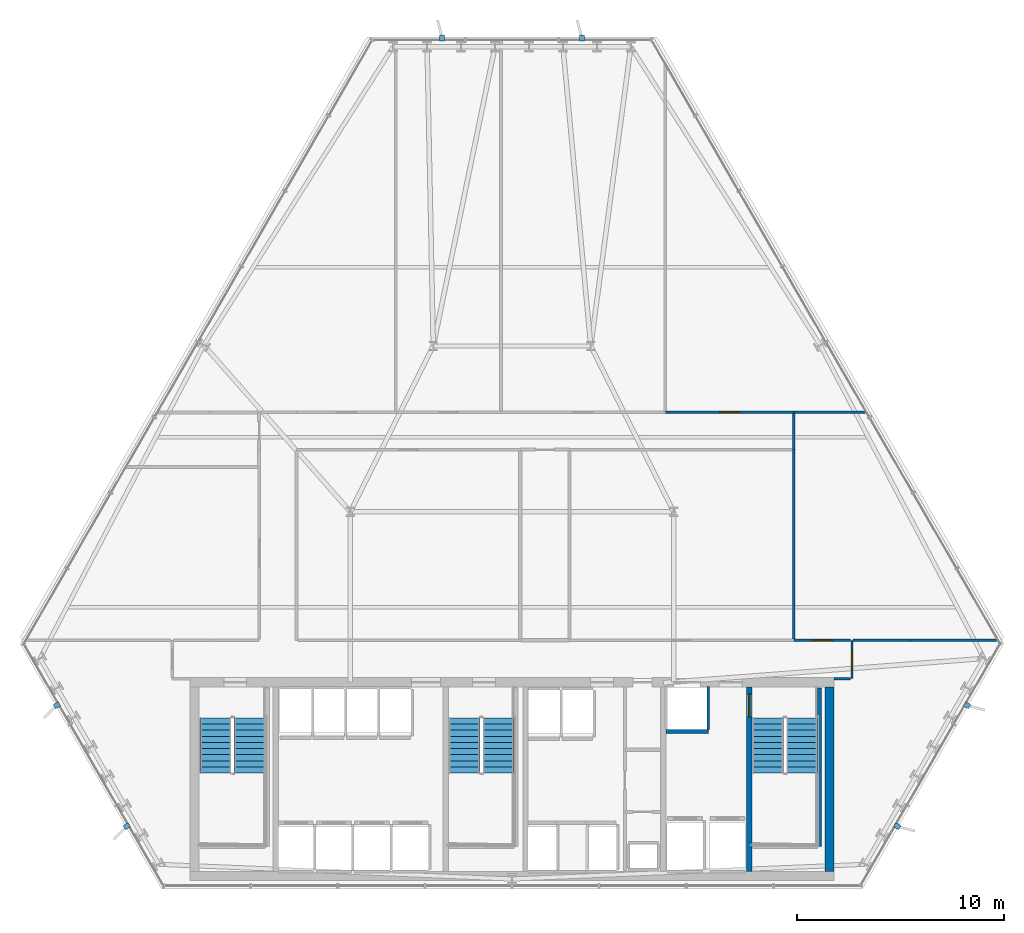
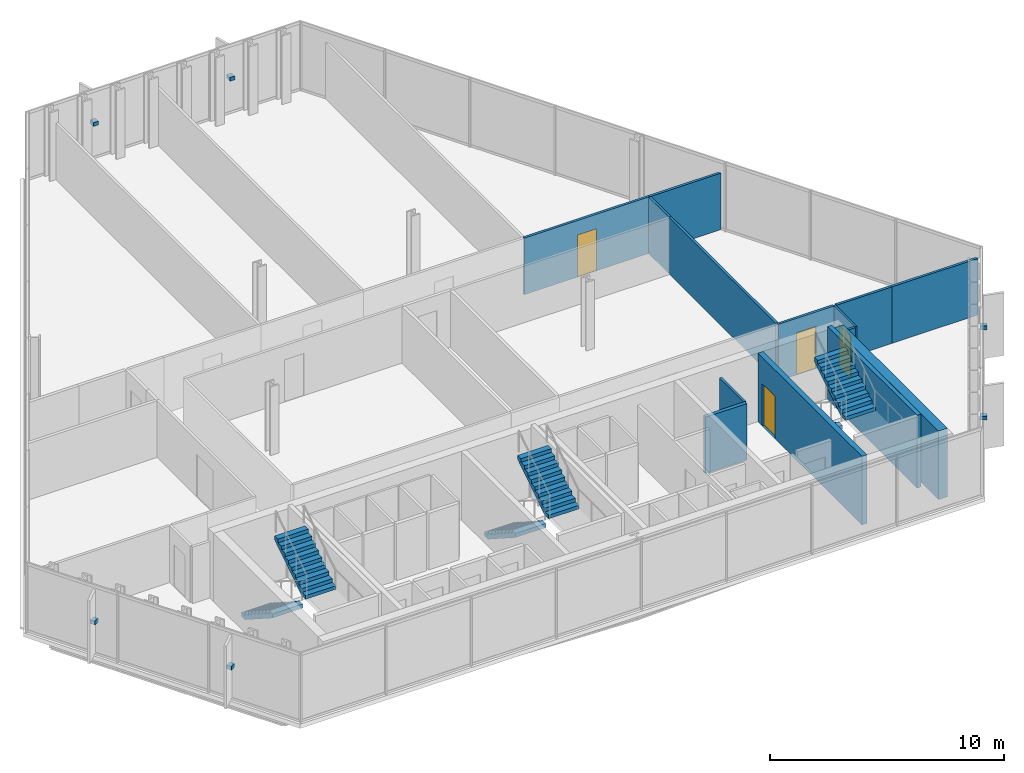
# One storey, part 27 of 31: 14 walls, 6 discrete accessories, 6 stair flights, 4 doors, 4 openings, 3 elements without a shape of their own.
"""IFC4 building model written with IfcOpenShell, lengths in metres."""

from ifc_helpers import new_model, si_unit, direction, frame, frame_2d, origin, origin_2d, place, context, subcontext, project, spatial, polyline, rectangle, outline, extrude, material, layer, layer_set, type_object, element, fill, aggregate, save


model = new_model("IFC4")

# Units and contexts
model_context = context("Model", 3, precision=1e-05, world=origin(), true_north=direction((0.0, 1.0)))
body_context = subcontext(model_context, "Body", "Model", "MODEL_VIEW")
ifc_project = project(units=[si_unit("LENGTHUNIT", "METRE"), si_unit("AREAUNIT", "SQUARE_METRE"), si_unit("VOLUMEUNIT", "CUBIC_METRE"), si_unit("PLANEANGLEUNIT", "RADIAN"), si_unit("MASSUNIT", "GRAM", prefix="KILO")], contexts=[model_context])

# Site, building, storey
site_placement = place(None, origin())
site = spatial("IfcSite", under=ifc_project, at=site_placement, CompositionType="ELEMENT")
building_placement = place(site_placement, origin())
building = spatial("IfcBuilding", under=site, at=building_placement, Name="Ndaravel Arena Tower", CompositionType="ELEMENT")
storey_placement = place(building_placement, frame((0.0, 0.0, 100.60009765625)))
storey = spatial("IfcBuildingStorey", under=building, at=storey_placement, Name="L23", CompositionType="ELEMENT", Elevation=100.60009765625)

# Wall, opening, door
ifc_material_1 = material(Name="Concrete C60/75", Category="concrete")
ifc_layer_1 = layer(ifc_material_1, 0.25)
ifc_layer_set_1 = layer_set([ifc_layer_1], Name="Concrete C60/75")
wall_type_1 = type_object("IfcWallType", Name="WALL-CORE-250", PredefinedType="SOLIDWALL", material=ifc_layer_set_1)
wall_1_placement = place(storey_placement, frame((53.449951171875, 5.85009765625, 0.0), z_axis=(0.0, 0.0, 1.0), x_axis=(0.0, 1.0, 0.0)))
wall_1 = element("IfcWall", 1, at=wall_1_placement, inside=storey, type_object=wall_type_1, Name="L23 Core Web Shear Wall 5", PredefinedType="SOLIDWALL", context=body_context, shape_type="SweptSolid", body=[
    extrude(rectangle(XDim=8.89990234375, YDim=0.25, at=frame_2d((4.449951171875, 0.0))), origin(), (0.0, 0.0, 1.0), 3.579833984375),
])
opening_1_placement = place(wall_1_placement, frame((7.449951171875, 0.0, 0.0)))
opening_1 = element("IfcOpeningElement", 2, at=opening_1_placement, cuts=wall_1, Name="Opening FD-01", PredefinedType="OPENING", context=body_context, shape_type="SweptSolid", body=[
    extrude(rectangle(XDim=1.10009765625, YDim=2.199951171875, at=frame_2d((0.550048828125, 1.10009765625))), frame((0.0, 0.125, 0.0), z_axis=(0.0, -1.0, 0.0), x_axis=(1.0, 0.0, 0.0)), (0.0, 0.0, 1.0), 0.25),
])
ifc_material_2 = material(Name="Steel S355", Category="steel")
door_type_1 = type_object("IfcDoorType", Name="DT-01-STAIR-1100", OperationType="SINGLE_SWING_LEFT", PredefinedType="DOOR", material=ifc_material_2)
door_1_placement = place(opening_1_placement, origin())
door_1 = element("IfcDoor", 3, at=door_1_placement, inside=storey, type_object=door_type_1, Name="L23 Firefighting Lobby to ST-3 Door", OperationType="SINGLE_SWING_LEFT", OverallHeight=2.199951171875, OverallWidth=1.10009765625, PredefinedType="DOOR", context=body_context, shape_type="SweptSolid", body=[
    extrude(rectangle(XDim=1.10009765625, YDim=2.199951171875, at=frame_2d((0.550048828125, 1.10009765625))), frame((0.0, 0.02490234375, 0.0), z_axis=(0.0, -1.0, 0.0), x_axis=(1.0, 0.0, 0.0)), (0.0, 0.0, 1.0), 0.050048828125),
])
fill(opening_1, door_1)

# Wall
ifc_material_3 = material(Name="Concrete C60/75", Category="concrete")
ifc_layer_2 = layer(ifc_material_3, 0.449951171875)
ifc_layer_set_2 = layer_set([ifc_layer_2], Name="Concrete C60/75")
wall_type_2 = type_object("IfcWallType", Name="WALL-CORE-450", PredefinedType="SOLIDWALL", material=ifc_layer_set_2)
wall_2_placement = place(storey_placement, frame((57.324951171875, 5.85009765625, 0.0), z_axis=(0.0, 0.0, 1.0), x_axis=(0.0, 1.0, 0.0)))
element("IfcWall", 4, at=wall_2_placement, inside=storey, type_object=wall_type_2, Name="L23 Core East Shear Wall", PredefinedType="SOLIDWALL", context=body_context, shape_type="SweptSolid", body=[
    extrude(rectangle(XDim=8.89990234375, YDim=0.449951171875, at=frame_2d((4.449951171875, 0.0))), origin(), (0.0, 0.0, 1.0), 3.579833984375),
])

# Wall, opening, door
ifc_material_4 = material(Name="Timber", Category="wood")
ifc_layer_3 = layer(ifc_material_4, 0.10009765625)
ifc_layer_set_3 = layer_set([ifc_layer_3], Name="Timber")
wall_type_3 = type_object("IfcWallType", Name="WALL-MOVABLE-100", PredefinedType="MOVABLE", material=ifc_layer_set_3)
wall_3_placement = place(storey_placement, frame((58.39990234375, 17.0, 0.0), z_axis=(0.0, 0.0, 1.0), x_axis=(0.0, -1.0, 0.0)))
wall_3 = element("IfcWall", 5, at=wall_3_placement, inside=storey, type_object=wall_type_3, Name="L23 Interior Partition 001", PredefinedType="MOVABLE", context=body_context, shape_type="SweptSolid", body=[
    extrude(rectangle(XDim=1.85009765625, YDim=0.10009765625, at=frame_2d((0.925048828125, 0.0))), origin(), (0.0, 0.0, 1.0), 2.949951171875),
])
opening_2_placement = place(wall_3_placement, frame((0.449951171875, 0.0, 0.0)))
opening_2 = element("IfcOpeningElement", 6, at=opening_2_placement, cuts=wall_3, Name="Opening ID-01", PredefinedType="OPENING", context=body_context, shape_type="SweptSolid", body=[
    extrude(rectangle(XDim=0.949951171875, YDim=2.199951171875, at=frame_2d((0.47509765625, 1.10009765625))), frame((0.0, 0.050048828125, 0.0), z_axis=(0.0, -1.0, 0.0), x_axis=(1.0, 0.0, 0.0)), (0.0, 0.0, 1.0), 0.10009765625),
])
ifc_material_5 = material(Name="Timber", Category="wood")
door_type_2 = type_object("IfcDoorType", Name="DT-03-OFFICE-950", OperationType="SINGLE_SWING_LEFT", PredefinedType="DOOR", material=ifc_material_5)
door_2_placement = place(opening_2_placement, origin())
door_2 = element("IfcDoor", 7, at=door_2_placement, inside=storey, type_object=door_type_2, Name="L23 Design Bookshop Boutique Door", OperationType="SINGLE_SWING_LEFT", OverallHeight=2.199951171875, OverallWidth=0.949951171875, PredefinedType="DOOR", context=body_context, shape_type="SweptSolid", body=[
    extrude(rectangle(XDim=0.949951171875, YDim=2.199951171875, at=frame_2d((0.47509765625, 1.10009765625))), frame((0.0, 0.02490234375, 0.0), z_axis=(0.0, -1.0, 0.0), x_axis=(1.0, 0.0, 0.0)), (0.0, 0.0, 1.0), 0.050048828125),
])
fill(opening_2, door_2)

# Wall
ifc_material_6 = material(Name="Gypsum", Category="gypsum")
ifc_layer_4 = layer(ifc_material_6, 0.125)
ifc_layer_set_4 = layer_set([ifc_layer_4], Name="Gypsum")
wall_type_4 = type_object("IfcWallType", Name="WALL-PART-125", PredefinedType="PARTITIONING", material=ifc_layer_set_4)
wall_4_placement = place(storey_placement, frame((58.3349609375, 15.14990234375, 0.0), z_axis=(0.0, 0.0, 1.0), x_axis=(-1.0, 0.0, 0.0)))
element("IfcWall", 8, at=wall_4_placement, inside=storey, type_object=wall_type_4, Name="L23 Interior Partition 002", PredefinedType="PARTITIONING", context=body_context, shape_type="SweptSolid", body=[
    extrude(rectangle(XDim=0.784912109375, YDim=0.125, at=frame_2d((0.392578125, 0.0))), origin(), (0.0, 0.0, 1.0), 2.949951171875),
])

# Wall, opening, door
wall_5_placement = place(storey_placement, frame((49.39990234375, 28.0, 0.0), z_axis=(0.0, 0.0, 1.0), x_axis=(1.0, 0.0, 0.0)))
wall_5 = element("IfcWall", 9, at=wall_5_placement, inside=storey, type_object=wall_type_4, Name="L23 Interior Partition 014", PredefinedType="PARTITIONING", context=body_context, shape_type="SweptSolid", body=[
    extrude(rectangle(XDim=6.2001953125, YDim=0.125, at=frame_2d((3.10009765625, 0.0))), origin(), (0.0, 0.0, 1.0), 2.949951171875),
])
opening_3_placement = place(wall_5_placement, frame((2.625, 0.0, 0.0)))
opening_3 = element("IfcOpeningElement", 10, at=opening_3_placement, cuts=wall_5, Name="Opening ID-01", PredefinedType="OPENING", context=body_context, shape_type="SweptSolid", body=[
    extrude(rectangle(XDim=0.949951171875, YDim=2.199951171875, at=frame_2d((0.47509765625, 1.10009765625))), frame((0.0, 0.0625, 0.0), z_axis=(0.0, -1.0, 0.0), x_axis=(1.0, 0.0, 0.0)), (0.0, 0.0, 1.0), 0.125),
])
door_3_placement = place(opening_3_placement, origin())
door_3 = element("IfcDoor", 11, at=door_3_placement, inside=storey, type_object=door_type_2, Name="L23 Refreshment Kiosk 2 Door", OperationType="SINGLE_SWING_RIGHT", OverallHeight=2.199951171875, OverallWidth=0.949951171875, PredefinedType="DOOR", context=body_context, shape_type="SweptSolid", body=[
    extrude(rectangle(XDim=0.949951171875, YDim=2.199951171875, at=frame_2d((0.47509765625, 1.10009765625))), frame((0.0, 0.02490234375, 0.0), z_axis=(0.0, -1.0, 0.0), x_axis=(1.0, 0.0, 0.0)), (0.0, 0.0, 1.0), 0.050048828125),
])
fill(opening_3, door_3)

# Wall
wall_6_placement = place(storey_placement, frame((55.60009765625, 27.93505859375, 0.0), z_axis=(0.0, 0.0, 1.0), x_axis=(0.0, -1.0, 0.0)))
element("IfcWall", 12, at=wall_6_placement, inside=storey, type_object=wall_type_4, Name="L23 Interior Partition 015", PredefinedType="PARTITIONING", context=body_context, shape_type="SweptSolid", body=[
    extrude(rectangle(XDim=1.735107421875, YDim=0.125, at=frame_2d((0.86767578125, 0.0))), origin(), (0.0, 0.0, 1.0), 2.949951171875),
])

# Wall, opening, door
wall_7_placement = place(storey_placement, frame((55.60009765625, 17.0, 0.0), z_axis=(0.0, 0.0, 1.0), x_axis=(1.0, 0.0, 0.0)))
wall_7 = element("IfcWall", 13, at=wall_7_placement, inside=storey, type_object=wall_type_4, Name="L23 Interior Partition 023", PredefinedType="PARTITIONING", context=body_context, shape_type="SweptSolid", body=[
    extrude(rectangle(XDim=2.73486328125, YDim=0.125, at=frame_2d((1.367431640625, 0.0))), origin(), (0.0, 0.0, 1.0), 2.949951171875),
])
opening_4_placement = place(wall_7_placement, frame((0.892578125, 0.0, 0.0)))
opening_4 = element("IfcOpeningElement", 14, at=opening_4_placement, cuts=wall_7, Name="Opening ID-01", PredefinedType="OPENING", context=body_context, shape_type="SweptSolid", body=[
    extrude(rectangle(XDim=0.949951171875, YDim=2.199951171875, at=frame_2d((0.47509765625, 1.10009765625))), frame((0.0, 0.0625, 0.0), z_axis=(0.0, -1.0, 0.0), x_axis=(1.0, 0.0, 0.0)), (0.0, 0.0, 1.0), 0.125),
])
door_4_placement = place(opening_4_placement, origin())
door_4 = element("IfcDoor", 15, at=door_4_placement, inside=storey, type_object=door_type_2, Name="L23 Advisory Desk Office 3 Door", OperationType="SINGLE_SWING_RIGHT", OverallHeight=2.199951171875, OverallWidth=0.949951171875, PredefinedType="DOOR", context=body_context, shape_type="SweptSolid", body=[
    extrude(rectangle(XDim=0.949951171875, YDim=2.199951171875, at=frame_2d((0.47509765625, 1.10009765625))), frame((0.0, 0.02490234375, 0.0), z_axis=(0.0, -1.0, 0.0), x_axis=(1.0, 0.0, 0.0)), (0.0, 0.0, 1.0), 0.050048828125),
])
fill(opening_4, door_4)

# Walls
wall_8_placement = place(storey_placement, frame((58.465087890625, 17.0, 0.0), z_axis=(0.0, 0.0, 1.0), x_axis=(1.0, 0.0, 0.0)))
element("IfcWall", 16, at=wall_8_placement, inside=storey, type_object=wall_type_4, Name="L23 Interior Partition 025", PredefinedType="PARTITIONING", context=body_context, shape_type="SweptSolid", body=[
    extrude(rectangle(XDim=2.73486328125, YDim=0.125, at=frame_2d((1.367431640625, 0.0))), origin(), (0.0, 0.0, 1.0), 2.949951171875),
])
wall_9_placement = place(storey_placement, frame((61.199951171875, 17.0, 0.0), z_axis=(0.0, 0.0, 1.0), x_axis=(1.0, 0.0, 0.0)))
element("IfcWall", 17, at=wall_9_placement, inside=storey, type_object=wall_type_4, Name="L23 Interior Partition 026", PredefinedType="PARTITIONING", context=body_context, shape_type="SweptSolid", body=[
    extrude(rectangle(XDim=4.2607421875, YDim=0.125, at=frame_2d((2.13037109375, 0.0))), origin(), (0.0, 0.0, 1.0), 2.949951171875),
])
wall_10_placement = place(storey_placement, frame((55.60009765625, 26.199951171875, 0.0), z_axis=(0.0, 0.0, 1.0), x_axis=(0.0, -1.0, 0.0)))
element("IfcWall", 18, at=wall_10_placement, inside=storey, type_object=wall_type_4, Name="L23 Interior Partition 030", PredefinedType="PARTITIONING", context=body_context, shape_type="SweptSolid", body=[
    extrude(rectangle(XDim=9.135009765625, YDim=0.125, at=frame_2d((4.5673828125, 0.0))), origin(), (0.0, 0.0, 1.0), 2.949951171875),
])
wall_11_placement = place(storey_placement, frame((55.60009765625, 28.0, 0.0), z_axis=(0.0, 0.0, 1.0), x_axis=(1.0, 0.0, 0.0)))
element("IfcWall", 19, at=wall_11_placement, inside=storey, type_object=wall_type_4, Name="L23 Interior Partition 031", PredefinedType="PARTITIONING", context=body_context, shape_type="SweptSolid", body=[
    extrude(rectangle(XDim=3.510009765625, YDim=0.125, at=frame_2d((1.7548828125, 0.0))), origin(), (0.0, 0.0, 1.0), 2.949951171875),
])
ifc_material_7 = material(Name="Concrete C40/50", Category="concrete")
ifc_layer_5 = layer(ifc_material_7, 0.1201171875)
ifc_layer_set_5 = layer_set([ifc_layer_5], Name="Concrete C40/50")
wall_type_5 = type_object("IfcWallType", Name="WALL-SHAFT-120", PredefinedType="SOLIDWALL", material=ifc_layer_set_5)
wall_12_placement = place(storey_placement, frame((51.47998046875, 12.68994140625, 0.0), z_axis=(0.0, 0.0, 1.0), x_axis=(0.0, 1.0, 0.0)))
element("IfcWall", 20, at=wall_12_placement, inside=storey, type_object=wall_type_5, Name="L23 SVL-1 Shaft E Wall", PredefinedType="SOLIDWALL", context=body_context, shape_type="SweptSolid", body=[
    extrude(rectangle(XDim=2.070068359375, YDim=0.1201171875, at=frame_2d((1.03515625, 0.0))), origin(), (0.0, 0.0, 1.0), 2.949951171875),
])
ifc_material_8 = material(Name="Concrete C40/50", Category="concrete")
ifc_layer_6 = layer(ifc_material_8, 0.199951171875)
ifc_layer_set_6 = layer_set([ifc_layer_6], Name="Concrete C40/50")
wall_type_6 = type_object("IfcWallType", Name="WALL-SHAFT-200", PredefinedType="SOLIDWALL", material=ifc_layer_set_6)
wall_13_placement = place(storey_placement, frame((56.840087890625, 14.699951171875, 0.0), z_axis=(0.0, 0.0, 1.0), x_axis=(0.0, -1.0, 0.0)))
element("IfcWall", 21, at=wall_13_placement, inside=storey, type_object=wall_type_6, Name="L23 ST-3 Structural Shaft Wall Right", PredefinedType="SOLIDWALL", context=body_context, shape_type="SweptSolid", body=[
    extrude(rectangle(XDim=7.64990234375, YDim=0.199951171875, at=frame_2d((3.824951171875, 0.0))), origin(), (0.0, 0.0, 1.0), 3.7998046875),
])
wall_14_placement = place(storey_placement, frame((49.43994140625, 12.594970703125, 0.0), z_axis=(0.0, 0.0, 1.0), x_axis=(1.0, 0.0, 0.0)))
element("IfcWall", 22, at=wall_14_placement, inside=storey, type_object=wall_type_6, Name="L23 SVL-1 Shaft South Wall", PredefinedType="SOLIDWALL", context=body_context, shape_type="SweptSolid", body=[
    extrude(rectangle(XDim=2.0400390625, YDim=0.179931640625, at=frame_2d((1.02001953125, 0.0))), origin(), (0.0, 0.0, 1.0), 2.949951171875),
])

# Stair, stair flights
ifc_material_9 = material(Name="Concrete C40/50", Category="concrete")
stair_type = type_object("IfcStairType", Name="STAIR-CORE-HT", PredefinedType="HALF_TURN_STAIR", material=ifc_material_9)
stair_1_placement = place(storey_placement, origin())
stair_1 = element("IfcStair", 23, at=stair_1_placement, inside=storey, type_object=stair_type, Name="L23 ST-1", PredefinedType="HALF_TURN_STAIR")
ifc_material_10 = material(Name="Concrete C40/50", Category="concrete")
stair_flight_type = type_object("IfcStairFlightType", Name="SFLIGHT-CORE-1680", PredefinedType="STRAIGHT", material=ifc_material_10)
stair_flight_1_placement = place(storey_placement, frame((27.699951171875, 13.25, 0.0), z_axis=(0.0, 0.0, 1.0), x_axis=(0.0, -1.0, 0.0)))
stair_flight_1 = element("IfcStairFlight", 24, at=stair_flight_1_placement, type_object=stair_flight_type, Name="ST-1 flight 1", NumberOfRisers=10, NumberOfTreads=9, PredefinedType="STRAIGHT", RiserHeight=0.19, TreadLength=0.295, context=body_context, shape_type="SweptSolid", body=[
    extrude(outline(polyline([(0.0, 0.0), (0.0, 0.18994140625), (0.294921875, 0.18994140625), (0.294921875, 0.3798828125), (0.590087890625, 0.3798828125), (0.590087890625, 0.570068359375), (0.885009765625, 0.570068359375), (0.885009765625, 0.760009765625), (1.179931640625, 0.760009765625), (1.179931640625, 0.949951171875), (1.47509765625, 0.949951171875), (1.47509765625, 1.139892578125), (1.77001953125, 1.139892578125), (1.77001953125, 1.330078125), (2.06494140625, 1.330078125), (2.06494140625, 1.52001953125), (2.360107421875, 1.52001953125), (2.360107421875, 1.7099609375), (2.655029296875, 1.7099609375), (2.655029296875, 1.89990234375), (2.655029296875, 1.49609375), (0.332275390625, 0.0), (0.0, 0.0)])), frame((0.0, 0.75, 0.0), z_axis=(0.0, -1.0, 0.0), x_axis=(1.0, 0.0, 0.0)), (0.0, 0.0, 1.0), 1.5),
])
stair_flight_2_placement = place(storey_placement, frame((29.340087890625, 10.594970703125, 1.89990234375), z_axis=(0.0, 0.0, 1.0), x_axis=(0.0, 1.0, 0.0)))
stair_flight_2 = element("IfcStairFlight", 25, at=stair_flight_2_placement, type_object=stair_flight_type, Name="ST-1 flight 2", NumberOfRisers=10, NumberOfTreads=9, PredefinedType="STRAIGHT", RiserHeight=0.19, TreadLength=0.295, context=body_context, shape_type="SweptSolid", body=[
    extrude(outline(polyline([(0.0, 0.0), (0.0, 0.18994140625), (0.294921875, 0.18994140625), (0.294921875, 0.3798828125), (0.590087890625, 0.3798828125), (0.590087890625, 0.570068359375), (0.885009765625, 0.570068359375), (0.885009765625, 0.760009765625), (1.179931640625, 0.760009765625), (1.179931640625, 0.949951171875), (1.47509765625, 0.949951171875), (1.47509765625, 1.139892578125), (1.77001953125, 1.139892578125), (1.77001953125, 1.330078125), (2.06494140625, 1.330078125), (2.06494140625, 1.52001953125), (2.360107421875, 1.52001953125), (2.360107421875, 1.7099609375), (2.655029296875, 1.7099609375), (2.655029296875, 1.89990234375), (2.655029296875, 1.49609375), (0.332275390625, 0.0), (0.0, 0.0)])), frame((0.0, 0.75, 0.0), z_axis=(0.0, -1.0, 0.0), x_axis=(1.0, 0.0, 0.0)), (0.0, 0.0, 1.0), 1.5),
])
aggregate(stair_1, [stair_flight_1, stair_flight_2])

stair_2_placement = place(storey_placement, origin())
stair_2 = element("IfcStair", 26, at=stair_2_placement, inside=storey, type_object=stair_type, Name="L23 ST-2", PredefinedType="HALF_TURN_STAIR")
stair_flight_3_placement = place(storey_placement, frame((39.699951171875, 13.25, 0.0), z_axis=(0.0, 0.0, 1.0), x_axis=(0.0, -1.0, 0.0)))
stair_flight_3 = element("IfcStairFlight", 27, at=stair_flight_3_placement, type_object=stair_flight_type, Name="ST-2 flight 1", NumberOfRisers=10, NumberOfTreads=9, PredefinedType="STRAIGHT", RiserHeight=0.19, TreadLength=0.295, context=body_context, shape_type="SweptSolid", body=[
    extrude(outline(polyline([(0.0, 0.0), (0.0, 0.18994140625), (0.294921875, 0.18994140625), (0.294921875, 0.3798828125), (0.590087890625, 0.3798828125), (0.590087890625, 0.570068359375), (0.885009765625, 0.570068359375), (0.885009765625, 0.760009765625), (1.179931640625, 0.760009765625), (1.179931640625, 0.949951171875), (1.47509765625, 0.949951171875), (1.47509765625, 1.139892578125), (1.77001953125, 1.139892578125), (1.77001953125, 1.330078125), (2.06494140625, 1.330078125), (2.06494140625, 1.52001953125), (2.360107421875, 1.52001953125), (2.360107421875, 1.7099609375), (2.655029296875, 1.7099609375), (2.655029296875, 1.89990234375), (2.655029296875, 1.49609375), (0.332275390625, 0.0), (0.0, 0.0)])), frame((0.0, 0.75, 0.0), z_axis=(0.0, -1.0, 0.0), x_axis=(1.0, 0.0, 0.0)), (0.0, 0.0, 1.0), 1.5),
])
stair_flight_4_placement = place(storey_placement, frame((41.340087890625, 10.594970703125, 1.89990234375), z_axis=(0.0, 0.0, 1.0), x_axis=(0.0, 1.0, 0.0)))
stair_flight_4 = element("IfcStairFlight", 28, at=stair_flight_4_placement, type_object=stair_flight_type, Name="ST-2 flight 2", NumberOfRisers=10, NumberOfTreads=9, PredefinedType="STRAIGHT", RiserHeight=0.19, TreadLength=0.295, context=body_context, shape_type="SweptSolid", body=[
    extrude(outline(polyline([(0.0, 0.0), (0.0, 0.18994140625), (0.294921875, 0.18994140625), (0.294921875, 0.3798828125), (0.590087890625, 0.3798828125), (0.590087890625, 0.570068359375), (0.885009765625, 0.570068359375), (0.885009765625, 0.760009765625), (1.179931640625, 0.760009765625), (1.179931640625, 0.949951171875), (1.47509765625, 0.949951171875), (1.47509765625, 1.139892578125), (1.77001953125, 1.139892578125), (1.77001953125, 1.330078125), (2.06494140625, 1.330078125), (2.06494140625, 1.52001953125), (2.360107421875, 1.52001953125), (2.360107421875, 1.7099609375), (2.655029296875, 1.7099609375), (2.655029296875, 1.89990234375), (2.655029296875, 1.49609375), (0.332275390625, 0.0), (0.0, 0.0)])), frame((0.0, 0.75, 0.0), z_axis=(0.0, -1.0, 0.0), x_axis=(1.0, 0.0, 0.0)), (0.0, 0.0, 1.0), 1.5),
])
aggregate(stair_2, [stair_flight_3, stair_flight_4])

stair_3_placement = place(storey_placement, origin())
stair_3 = element("IfcStair", 29, at=stair_3_placement, inside=storey, type_object=stair_type, Name="L23 ST-3", PredefinedType="HALF_TURN_STAIR")
stair_flight_5_placement = place(storey_placement, frame((54.35009765625, 13.25, 0.0), z_axis=(0.0, 0.0, 1.0), x_axis=(0.0, -1.0, 0.0)))
stair_flight_5 = element("IfcStairFlight", 30, at=stair_flight_5_placement, type_object=stair_flight_type, Name="ST-3 flight 1", NumberOfRisers=10, NumberOfTreads=9, PredefinedType="STRAIGHT", RiserHeight=0.19, TreadLength=0.295, context=body_context, shape_type="SweptSolid", body=[
    extrude(outline(polyline([(0.0, 0.0), (0.0, 0.18994140625), (0.294921875, 0.18994140625), (0.294921875, 0.3798828125), (0.590087890625, 0.3798828125), (0.590087890625, 0.570068359375), (0.885009765625, 0.570068359375), (0.885009765625, 0.760009765625), (1.179931640625, 0.760009765625), (1.179931640625, 0.949951171875), (1.47509765625, 0.949951171875), (1.47509765625, 1.139892578125), (1.77001953125, 1.139892578125), (1.77001953125, 1.330078125), (2.06494140625, 1.330078125), (2.06494140625, 1.52001953125), (2.360107421875, 1.52001953125), (2.360107421875, 1.7099609375), (2.655029296875, 1.7099609375), (2.655029296875, 1.89990234375), (2.655029296875, 1.49609375), (0.332275390625, 0.0), (0.0, 0.0)])), frame((0.0, 0.75, 0.0), z_axis=(0.0, -1.0, 0.0), x_axis=(1.0, 0.0, 0.0)), (0.0, 0.0, 1.0), 1.5),
])
stair_flight_6_placement = place(storey_placement, frame((55.989990234375, 10.594970703125, 1.89990234375), z_axis=(0.0, 0.0, 1.0), x_axis=(0.0, 1.0, 0.0)))
stair_flight_6 = element("IfcStairFlight", 31, at=stair_flight_6_placement, type_object=stair_flight_type, Name="ST-3 flight 2", NumberOfRisers=10, NumberOfTreads=9, PredefinedType="STRAIGHT", RiserHeight=0.19, TreadLength=0.295, context=body_context, shape_type="SweptSolid", body=[
    extrude(outline(polyline([(0.0, 0.0), (0.0, 0.18994140625), (0.294921875, 0.18994140625), (0.294921875, 0.3798828125), (0.590087890625, 0.3798828125), (0.590087890625, 0.570068359375), (0.885009765625, 0.570068359375), (0.885009765625, 0.760009765625), (1.179931640625, 0.760009765625), (1.179931640625, 0.949951171875), (1.47509765625, 0.949951171875), (1.47509765625, 1.139892578125), (1.77001953125, 1.139892578125), (1.77001953125, 1.330078125), (2.06494140625, 1.330078125), (2.06494140625, 1.52001953125), (2.360107421875, 1.52001953125), (2.360107421875, 1.7099609375), (2.655029296875, 1.7099609375), (2.655029296875, 1.89990234375), (2.655029296875, 1.49609375), (0.332275390625, 0.0), (0.0, 0.0)])), frame((0.0, 0.75, 0.0), z_axis=(0.0, -1.0, 0.0), x_axis=(1.0, 0.0, 0.0)), (0.0, 0.0, 1.0), 1.5),
])
aggregate(stair_3, [stair_flight_5, stair_flight_6])

# Discrete accessories
ifc_material_11 = material(Name="Steel S355", Category="steel")
discrete_accessory_type = type_object("IfcDiscreteAccessoryType", Name="ACC-BRACKET-FIN", PredefinedType="BRACKET", material=ifc_material_11)
for number, where, z_axis, x_axis, name in (
    (32, (60.58935546875, 8.0283203125, 1.68994140625), (0.0, 0.0, 1.0), (0.866025403784, -0.5, 0.0), "L23 Mazeras Stone Solar Fin E2.1 Bracket"),
    (33, (63.958984375, 13.864501953125, 1.68994140625), (0.0, 0.0, 1.0), (0.866025403784, -0.5, 0.0), "L23 Mazeras Stone Solar Fin E2.2 Bracket"),
    (34, (45.36962890625, 46.0625, 1.68994140625), (0.0, 0.0, 1.0), (0.0, 1.0, 0.0), "L23 Mazeras Stone Solar Fin E4.1 Bracket"),
    (35, (38.63037109375, 46.0625, 1.68994140625), (0.0, 0.0, 1.0), (0.0, 1.0, 0.0), "L23 Mazeras Stone Solar Fin E4.2 Bracket"),
    (36, (20.041015625, 13.864501953125, 1.68994140625), (0.0, 0.0, 1.0), (-0.866025403784, -0.5, 0.0), "L23 Mazeras Stone Solar Fin E6.1 Bracket"),
    (37, (23.41064453125, 8.0283203125, 1.68994140625), (0.0, 0.0, 1.0), (-0.866025403784, -0.5, 0.0), "L23 Mazeras Stone Solar Fin E6.2 Bracket"),
):
    element("IfcDiscreteAccessory", number, at=place(storey_placement, frame(where, z_axis=z_axis, x_axis=x_axis)), inside=storey, type_object=discrete_accessory_type, Name=name, PredefinedType="BRACKET", context=body_context, shape_type="SweptSolid", body=[
        extrude(rectangle(XDim=0.280029296875, YDim=0.239990234375, at=origin_2d()), origin(), (0.0, 0.0, 1.0), 0.199951171875),
    ])

save(model, "model.ifc")
